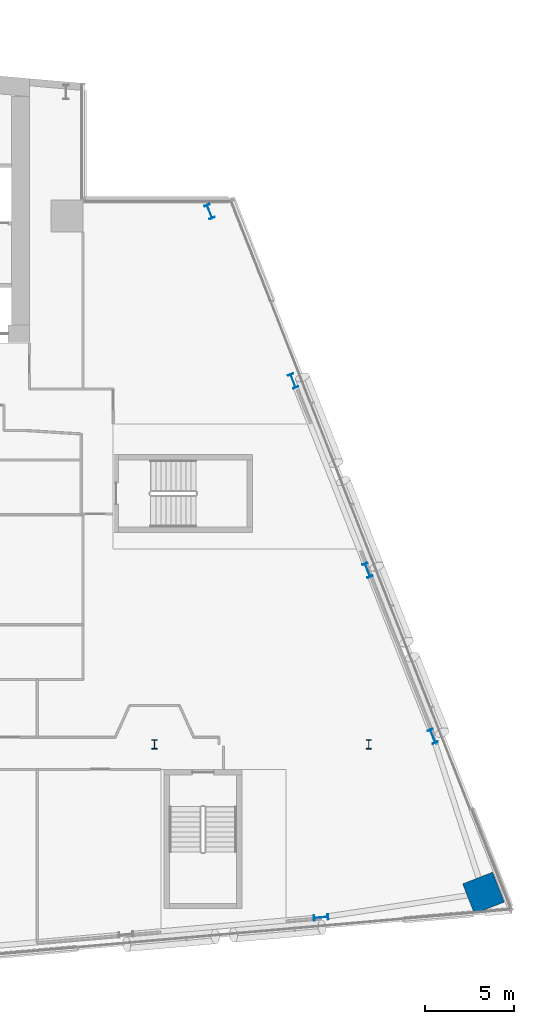
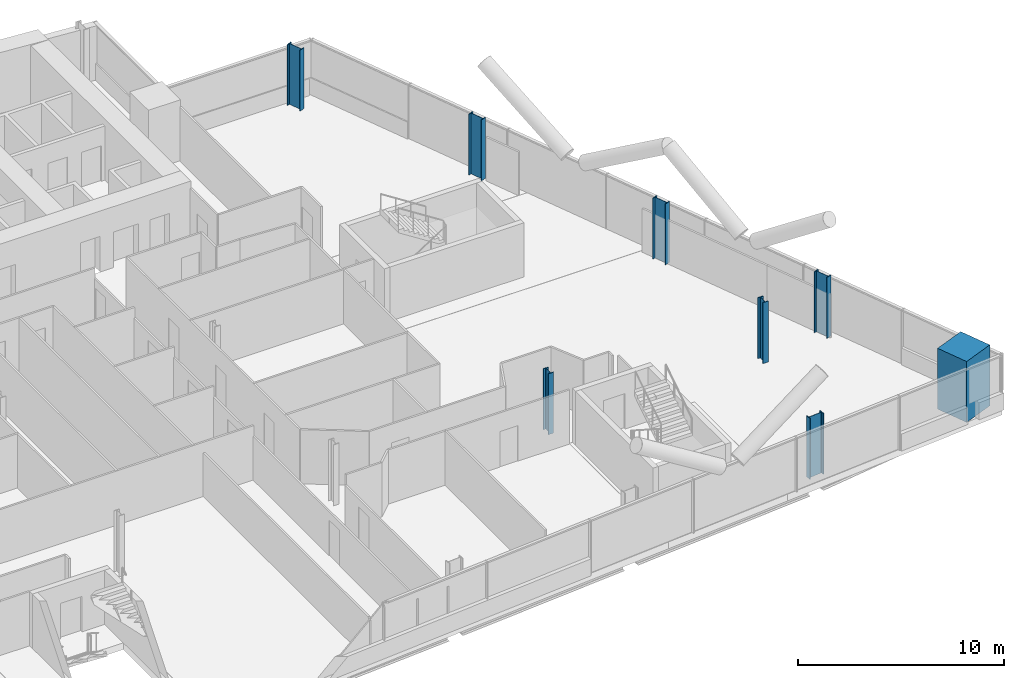
# One storey, part 4 of 27: 8 columns.
"""IFC4 building model written with IfcOpenShell, lengths in metres."""

from ifc_helpers import new_model, si_unit, direction, frame, origin, origin_2d, place, context, subcontext, project, spatial, rectangle, i_section, extrude, material, material_profile, profile_set, type_object, element, save


model = new_model("IFC4")

# Units and contexts
model_context = context("Model", 3, precision=1e-05, world=origin(), true_north=direction((0.0, 1.0)))
body_context = subcontext(model_context, "Body", "Model", "MODEL_VIEW")
ifc_project = project(units=[si_unit("LENGTHUNIT", "METRE"), si_unit("AREAUNIT", "SQUARE_METRE"), si_unit("VOLUMEUNIT", "CUBIC_METRE"), si_unit("PLANEANGLEUNIT", "RADIAN"), si_unit("MASSUNIT", "GRAM", prefix="KILO")], contexts=[model_context])

# Site, building, storey
site_placement = place(None, origin())
site = spatial("IfcSite", under=ifc_project, at=site_placement, CompositionType="ELEMENT")
building_placement = place(site_placement, origin())
building = spatial("IfcBuilding", under=site, at=building_placement, Name="Wharfspan Tower", CompositionType="ELEMENT")
storey_placement = place(building_placement, frame((0.0, 0.0, 118.300049)))
storey = spatial("IfcBuildingStorey", under=building, at=storey_placement, Name="L27", CompositionType="ELEMENT", Elevation=118.300049)

# Columns
ifc_material_1 = material(Name="Steel S355J2", Category="steel")
ifc_material_profile_1 = material_profile(ifc_material_1, i_section(OverallWidth=0.305908, OverallDepth=0.523926, WebThickness=0.020996, FlangeThickness=0.040039, FilletRadius=0.0271, at=origin_2d()))
ifc_profile_set_1 = profile_set([ifc_material_profile_1], Name="Steel S355J2")
column_type_1 = type_object("IfcColumnType", Name="Column HEM 500", PredefinedType="COLUMN", material=ifc_profile_set_1)
for number, where, z_axis, x_axis, name in (
    (1, (72.0, 11.5, 0.0), (0.0, 0.0, 1.0), (1.0, 0.0, 0.0), "Interior column I.1.6 L27"),
    (2, (84.0, 11.5, 0.0), (0.0, 0.0, 1.0), (1.0, 0.0, 0.0), "Interior column I.1.7 L27"),
):
    element("IfcColumn", number, at=place(storey_placement, frame(where, z_axis=z_axis, x_axis=x_axis)), inside=storey, type_object=column_type_1, Name=name, PredefinedType="COLUMN", context=body_context, shape_type="SweptSolid", body=[
        extrude(i_section(OverallWidth=0.305908, OverallDepth=0.523926, WebThickness=0.020996, FlangeThickness=0.040039, FilletRadius=0.0271, at=origin_2d()), origin(), (0.0, 0.0, 1.0), 3.599854),
    ])
ifc_material_profile_2 = material_profile(ifc_material_1, i_section(OverallWidth=0.302979, OverallDepth=0.813965, WebThickness=0.020996, FlangeThickness=0.040039, FilletRadius=0.030029, at=origin_2d()))
ifc_profile_set_2 = profile_set([ifc_material_profile_2], Name="Steel S355J2")
column_type_2 = type_object("IfcColumnType", Name="Column HEM 800", PredefinedType="COLUMN", material=ifc_profile_set_2)
for number, where, z_axis, x_axis, name in (
    (3, (81.327881, 1.80835, 0.0), (0.0, 0.0, 1.0), (0.087156, -0.996198, 0.0), "Perimeter column PS2.3 L27"),
    (4, (87.586914, 11.952393, 0.0), (0.0, 0.0, 1.0), (0.930702, 0.365778, 0.0), "Perimeter column PE.1 L27"),
    (5, (83.932617, 21.250977, 0.0), (0.0, 0.0, 1.0), (0.930702, 0.365778, 0.0), "Perimeter column PE.2 L27"),
    (6, (79.765869, 31.852539, 0.0), (0.0, 0.0, 1.0), (0.930702, 0.365778, 0.0), "Perimeter column PE.3 L27"),
    (7, (75.084961, 41.337646, 0.0), (0.0, 0.0, 1.0), (0.930702, 0.365778, 0.0), "Perimeter column PE.4 L27"),
):
    element("IfcColumn", number, at=place(storey_placement, frame(where, z_axis=z_axis, x_axis=x_axis)), inside=storey, type_object=column_type_2, Name=name, PredefinedType="COLUMN", context=body_context, shape_type="SweptSolid", body=[
        extrude(i_section(OverallWidth=0.302979, OverallDepth=0.813965, WebThickness=0.020996, FlangeThickness=0.040039, FilletRadius=0.030029, at=origin_2d()), origin(), (0.0, 0.0, 1.0), 3.599854),
    ])
ifc_material_2 = material(Name="Concrete C70/85", Category="concrete")
ifc_material_profile_3 = material_profile(ifc_material_2, rectangle(XDim=1.800049, YDim=1.800049, at=origin_2d()))
ifc_profile_set_3 = profile_set([ifc_material_profile_3], Name="Concrete C70/85")
column_type_3 = type_object("IfcColumnType", Name="Mega column 1800 C70/85", PredefinedType="COLUMN", material=ifc_profile_set_3)
column_placement = place(storey_placement, frame((90.427246, 3.174072, 0.0), z_axis=(0.0, 0.0, 1.0), x_axis=(-0.365778, 0.930702, 0.0)))
element("IfcColumn", 8, at=column_placement, inside=storey, type_object=column_type_3, Name="Mega column MC4 L27", PredefinedType="COLUMN", context=body_context, shape_type="SweptSolid", body=[
    extrude(rectangle(XDim=1.800049, YDim=1.800049, at=origin_2d()), origin(), (0.0, 0.0, 1.0), 3.599854),
])

save(model, "model.ifc")
